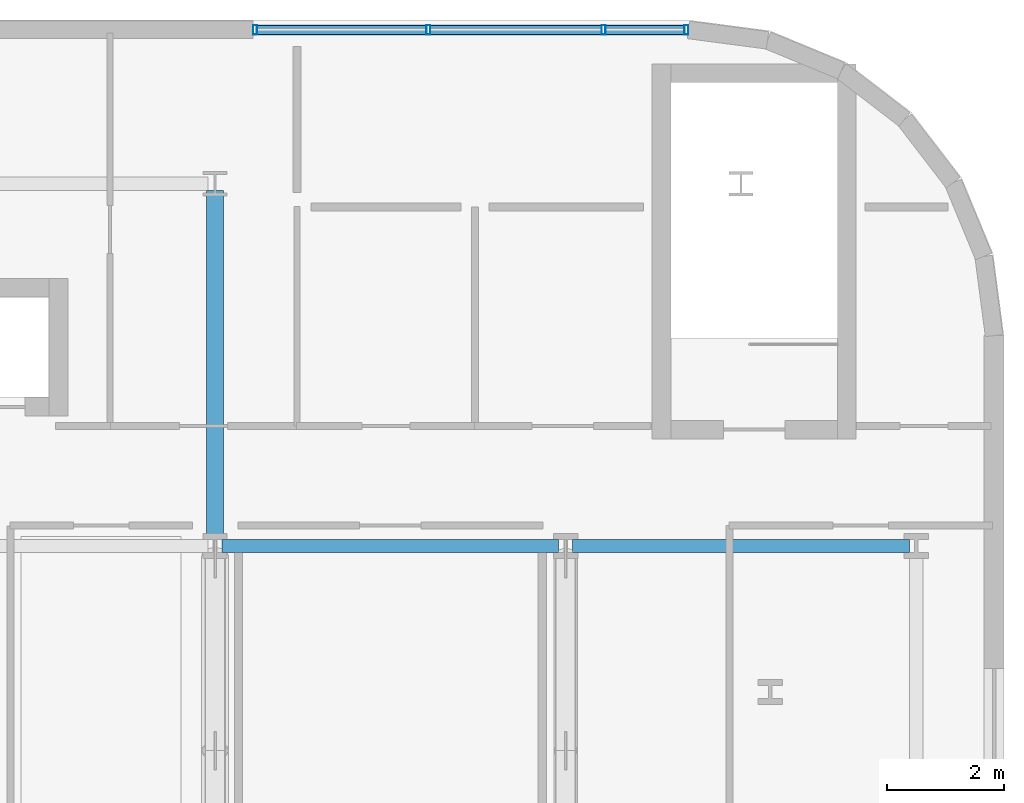
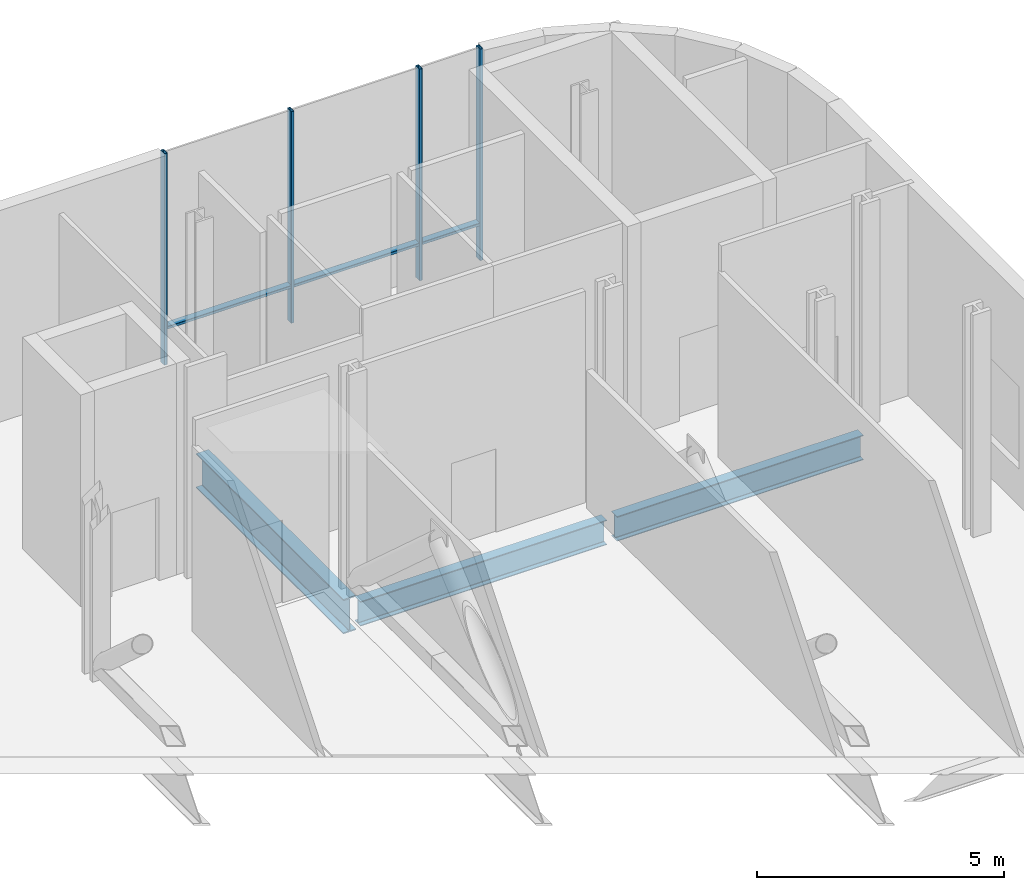
# One storey, part 8 of 17: 7 members, 3 beams, 1 element without a shape of its own.
"""IFC4 building model written with IfcOpenShell, lengths in metres."""

from ifc_helpers import new_model, si_unit, direction, frame, origin, origin_2d, place, context, subcontext, project, spatial, hollow_rectangle, i_section, extrude, material, layer, layer_set, material_profile, profile_set, type_object, element, aggregate, save


model = new_model("IFC4")

# Units and contexts
model_context = context("Model", 3, precision=1e-05, world=origin(), true_north=direction((0.0, 1.0)))
body_context = subcontext(model_context, "Body", "Model", "MODEL_VIEW")
ifc_project = project(units=[si_unit("LENGTHUNIT", "METRE"), si_unit("AREAUNIT", "SQUARE_METRE"), si_unit("VOLUMEUNIT", "CUBIC_METRE"), si_unit("PLANEANGLEUNIT", "RADIAN"), si_unit("MASSUNIT", "GRAM", prefix="KILO")], contexts=[model_context])

# Site, building, storey
site_placement = place(None, origin())
site = spatial("IfcSite", under=ifc_project, at=site_placement, CompositionType="ELEMENT")
building_placement = place(site_placement, origin())
building = spatial("IfcBuilding", under=site, at=building_placement, Name="Brevholm Reach", CompositionType="ELEMENT")
storey_placement = place(building_placement, frame((0.0, 0.0, 22.5)))
storey = spatial("IfcBuildingStorey", under=building, at=storey_placement, Name="L05", CompositionType="ELEMENT", Elevation=22.5)

# Beams
ifc_material_1 = material(Name="Structural Steel S355J2", Category="steel")
ifc_material_profile_1 = material_profile(ifc_material_1, i_section(OverallWidth=0.22900390625, OverallDepth=0.6123046875, WebThickness=0.011962890625, FlangeThickness=0.01953125, FilletRadius=0.0126953125, at=origin_2d()), Name="UKB 610x229x125")
ifc_profile_set_1 = profile_set([ifc_material_profile_1], Name="Structural Steel S355J2")
beam_type_1 = type_object("IfcBeamType", Name="BM-SP610", PredefinedType="SPANDREL", material=ifc_profile_set_1)
for number, where, z_axis, x_axis, name in (
    (1, (48.1201171875, 31.0, -0.586181640625), (1.0, 0.0, 0.0), (0.0, 1.0, 0.0), "L05 SP-01 Framing Beam"),
    (2, (54.1201171875, 31.0, -0.586181640625), (1.0, 0.0, 0.0), (0.0, 1.0, 0.0), "L05 SP-01 Framing Beam"),
):
    element("IfcBeam", number, at=place(storey_placement, frame(where, z_axis=z_axis, x_axis=x_axis)), inside=storey, type_object=beam_type_1, Name=name, PredefinedType="SPANDREL", context=body_context, shape_type="SweptSolid", body=[
        extrude(i_section(OverallWidth=0.22900390625, OverallDepth=0.6123046875, WebThickness=0.011962890625, FlangeThickness=0.01953125, FilletRadius=0.0126953125, at=origin_2d()), origin(), (0.0, 0.0, 1.0), 5.759765625),
    ])
ifc_material_2 = material(Name="Structural Steel S355J2", Category="steel")
ifc_material_profile_2 = material_profile(ifc_material_2, i_section(OverallWidth=0.293701171875, OverallDepth=0.850830078125, WebThickness=0.01611328125, FlangeThickness=0.02685546875, FilletRadius=0.017822265625, at=origin_2d()), Name="UKB 838x292x226")
ifc_profile_set_2 = profile_set([ifc_material_profile_2], Name="Structural Steel S355J2")
beam_type_2 = type_object("IfcBeamType", Name="BM-UKB838", PredefinedType="USERDEFINED", material=ifc_profile_set_2)
beam_placement = place(storey_placement, frame((48.0, 31.1201171875, -0.70556640625), z_axis=(0.0, 1.0, 0.0), x_axis=(-1.0, 0.0, 0.0)))
element("IfcBeam", 3, at=beam_placement, inside=storey, type_object=beam_type_2, Name="L05 G-03 Framing Beam", ObjectType="GIRDER", PredefinedType="USERDEFINED", context=body_context, shape_type="SweptSolid", body=[
    extrude(i_section(OverallWidth=0.293701171875, OverallDepth=0.850830078125, WebThickness=0.01611328125, FlangeThickness=0.02685546875, FilletRadius=0.017822265625, at=origin_2d()), origin(), (0.0, 0.0, 1.0), 5.9599609375),
])

# Curtain wall, members
ifc_material_3 = material(Name="Dark Anodised Aluminium 6063-T6 and Solar-Control Glass", Category="aluminium")
ifc_layer = layer(ifc_material_3, 0.1650390625)
ifc_layer_set = layer_set([ifc_layer], Name="Dark Anodised Aluminium 6063-T6 and Solar-Control Glass")
curtain_wall_type = type_object("IfcCurtainWallType", Name="CW-03", PredefinedType="NOTDEFINED", material=ifc_layer_set)
curtain_wall_placement = place(storey_placement, origin())
curtain_wall = element("IfcCurtainWall", 4, at=curtain_wall_placement, inside=storey, type_object=curtain_wall_type, Name="L05 Curtain Wall CW-03", PredefinedType="NOTDEFINED")
ifc_material_4 = material(Name="Dark Anodised Aluminium 6063-T6", Category="aluminium")
ifc_material_profile_3 = material_profile(ifc_material_4, hollow_rectangle(XDim=0.070068359375, YDim=0.1650390625, WallThickness=0.0048828125, InnerFilletRadius=0.0048828125, OuterFilletRadius=0.010009765625, at=origin_2d()), Name="RHS 165x70x5")
ifc_profile_set_3 = profile_set([ifc_material_profile_3], Name="Dark Anodised Aluminium 6063-T6")
member_type_1 = type_object("IfcMemberType", Name="CWM-165", PredefinedType="MULLION", material=ifc_profile_set_3)
member_1_placement = place(storey_placement, frame((48.68505859375, 39.830078125, 0.0), z_axis=(0.0, 0.0, 1.0), x_axis=(1.0, 0.0, 0.0)))
member_1 = element("IfcMember", 5, at=member_1_placement, type_object=member_type_1, Name="CM-165 Mullion 1", PredefinedType="MULLION", context=body_context, shape_type="SweptSolid", body=[
    extrude(hollow_rectangle(XDim=0.070068359375, YDim=0.1650390625, WallThickness=0.0048828125, InnerFilletRadius=0.0048828125, OuterFilletRadius=0.010009765625, at=origin_2d()), origin(), (0.0, 0.0, 1.0), 5.22998046875),
])
member_2_placement = place(storey_placement, frame((51.64990234375, 39.830078125, 0.0), z_axis=(0.0, 0.0, 1.0), x_axis=(1.0, 0.0, 0.0)))
member_2 = element("IfcMember", 6, at=member_2_placement, type_object=member_type_1, Name="CM-165 Mullion 2", PredefinedType="MULLION", context=body_context, shape_type="SweptSolid", body=[
    extrude(hollow_rectangle(XDim=0.070068359375, YDim=0.1650390625, WallThickness=0.0048828125, InnerFilletRadius=0.0048828125, OuterFilletRadius=0.010009765625, at=origin_2d()), origin(), (0.0, 0.0, 1.0), 5.22998046875),
])
member_3_placement = place(storey_placement, frame((54.64990234375, 39.830078125, 0.0), z_axis=(0.0, 0.0, 1.0), x_axis=(1.0, 0.0, 0.0)))
member_3 = element("IfcMember", 7, at=member_3_placement, type_object=member_type_1, Name="CM-165 Mullion 3", PredefinedType="MULLION", context=body_context, shape_type="SweptSolid", body=[
    extrude(hollow_rectangle(XDim=0.070068359375, YDim=0.1650390625, WallThickness=0.0048828125, InnerFilletRadius=0.0048828125, OuterFilletRadius=0.010009765625, at=origin_2d()), origin(), (0.0, 0.0, 1.0), 5.22998046875),
])
member_4_placement = place(storey_placement, frame((56.06494140625, 39.830078125, 0.0), z_axis=(0.0, 0.0, 1.0), x_axis=(1.0, 0.0, 0.0)))
member_4 = element("IfcMember", 8, at=member_4_placement, type_object=member_type_1, Name="CM-165 Mullion 4", PredefinedType="MULLION", context=body_context, shape_type="SweptSolid", body=[
    extrude(hollow_rectangle(XDim=0.070068359375, YDim=0.1650390625, WallThickness=0.0048828125, InnerFilletRadius=0.0048828125, OuterFilletRadius=0.010009765625, at=origin_2d()), origin(), (0.0, 0.0, 1.0), 5.22998046875),
])
ifc_material_5 = material(Name="Dark Anodised Aluminium 6063-T6", Category="aluminium")
ifc_material_profile_4 = material_profile(ifc_material_5, hollow_rectangle(XDim=0.070068359375, YDim=0.1650390625, WallThickness=0.0048828125, InnerFilletRadius=0.0048828125, OuterFilletRadius=0.010009765625, at=origin_2d()), Name="RHS 165x70x5")
ifc_profile_set_4 = profile_set([ifc_material_profile_4], Name="Dark Anodised Aluminium 6063-T6")
member_type_2 = type_object("IfcMemberType", Name="CWT-165", PredefinedType="NOTDEFINED", material=ifc_profile_set_4)
member_5_placement = place(storey_placement, frame((48.719970703125, 39.830078125, 0.89990234375), z_axis=(1.0, 0.0, 0.0), x_axis=(0.0, 0.0, 1.0)))
member_5 = element("IfcMember", 9, at=member_5_placement, type_object=member_type_2, Name="CT-165 Transom 1.1", ObjectType="TRANSOM", PredefinedType="USERDEFINED", context=body_context, shape_type="SweptSolid", body=[
    extrude(hollow_rectangle(XDim=0.070068359375, YDim=0.1650390625, WallThickness=0.0048828125, InnerFilletRadius=0.0048828125, OuterFilletRadius=0.010009765625, at=origin_2d()), origin(), (0.0, 0.0, 1.0), 2.89501953125),
])
member_6_placement = place(storey_placement, frame((51.68505859375, 39.830078125, 0.89990234375), z_axis=(1.0, 0.0, 0.0), x_axis=(0.0, 0.0, 1.0)))
member_6 = element("IfcMember", 10, at=member_6_placement, type_object=member_type_2, Name="CT-165 Transom 2.1", ObjectType="TRANSOM", PredefinedType="USERDEFINED", context=body_context, shape_type="SweptSolid", body=[
    extrude(hollow_rectangle(XDim=0.070068359375, YDim=0.1650390625, WallThickness=0.0048828125, InnerFilletRadius=0.0048828125, OuterFilletRadius=0.010009765625, at=origin_2d()), origin(), (0.0, 0.0, 1.0), 2.929931640625),
])
member_7_placement = place(storey_placement, frame((54.68505859375, 39.830078125, 0.89990234375), z_axis=(1.0, 0.0, 0.0), x_axis=(0.0, 0.0, 1.0)))
member_7 = element("IfcMember", 11, at=member_7_placement, type_object=member_type_2, Name="CT-165 Transom 3.1", ObjectType="TRANSOM", PredefinedType="USERDEFINED", context=body_context, shape_type="SweptSolid", body=[
    extrude(hollow_rectangle(XDim=0.070068359375, YDim=0.1650390625, WallThickness=0.0048828125, InnerFilletRadius=0.0048828125, OuterFilletRadius=0.010009765625, at=origin_2d()), origin(), (0.0, 0.0, 1.0), 1.344970703125),
])
aggregate(curtain_wall, [member_1, member_2, member_3, member_4, member_5, member_6, member_7])

save(model, "model.ifc")
